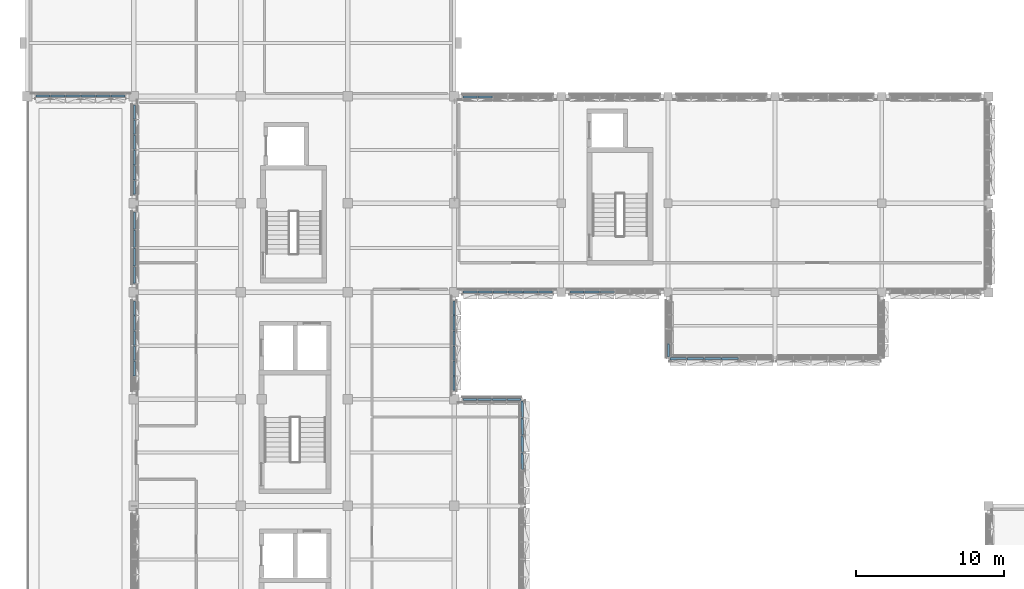
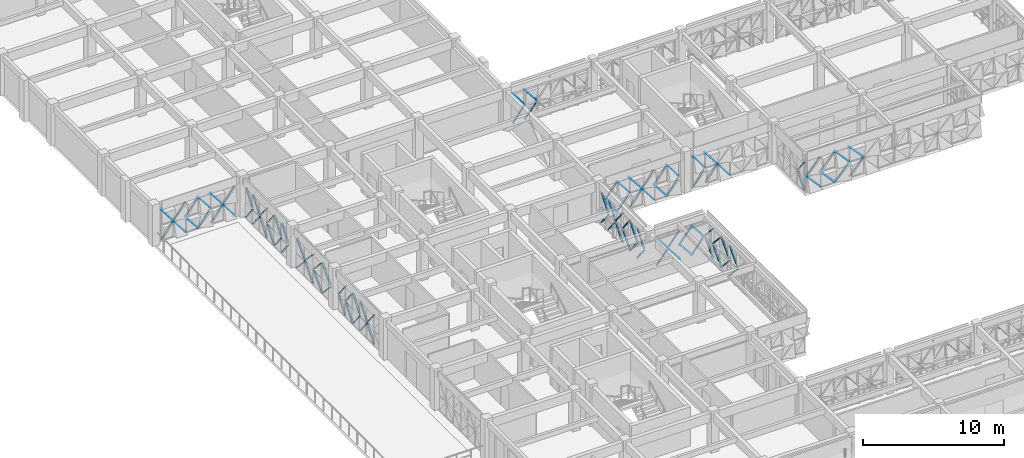
# One storey, part 52 of 85: 101 discrete accessories.
"""IFC4 building model written with IfcOpenShell, lengths in metres."""

from ifc_helpers import new_model, si_unit, direction, frame, origin, origin_2d, place, context, subcontext, project, spatial, rectangle, extrude, material, type_object, element, save


model = new_model("IFC4")

# Units and contexts
model_context = context("Model", 3, precision=1e-05, world=origin(), true_north=direction((0.0, 1.0)))
body_context = subcontext(model_context, "Body", "Model", "MODEL_VIEW")
ifc_project = project(units=[si_unit("LENGTHUNIT", "METRE"), si_unit("AREAUNIT", "SQUARE_METRE"), si_unit("VOLUMEUNIT", "CUBIC_METRE"), si_unit("PLANEANGLEUNIT", "RADIAN"), si_unit("MASSUNIT", "GRAM", prefix="KILO")], contexts=[model_context])

# Site, building, storey
site_placement = place(None, origin())
site = spatial("IfcSite", under=ifc_project, at=site_placement, CompositionType="ELEMENT")
building_placement = place(site_placement, origin())
building = spatial("IfcBuilding", under=site, at=building_placement, Name="Alvorim Cloister Faculty of Sciences", CompositionType="ELEMENT")
storey_placement = place(building_placement, frame((0.0, 0.0, 8.550048828125)))
storey = spatial("IfcBuildingStorey", under=building, at=storey_placement, Name="L02", CompositionType="ELEMENT", Elevation=8.550048828125)

# Discrete accessories
ifc_material = material(Name="Aluminium Alloy 6063-T6", Category="aluminium")
discrete_accessory_type = type_object("IfcDiscreteAccessoryType", Name="ACC-DIAG-BAR", PredefinedType="BRACKET", material=ifc_material)
for number, where, z_axis, x_axis, name in (
    (1, (7.222412109375, 37.592529296875, 0.139892578125), (0.006476523147, 0.617955086572, 0.786186724404), (-0.999945083323, 0.010479997039, 0.0), "Diagonal Cassette Glazing Bracket ACC-00502"),
    (2, (7.222412109375, 37.592529296875, 2.7099609375), (0.006476523147, 0.617955086572, -0.786186724404), (-0.999945083323, 0.010479997039, 0.0), "Diagonal Cassette Glazing Bracket ACC-00503"),
):
    element("IfcDiscreteAccessory", number, at=place(storey_placement, frame(where, z_axis=z_axis, x_axis=x_axis)), inside=storey, type_object=discrete_accessory_type, Name=name, PredefinedType="BRACKET", context=body_context, shape_type="SweptSolid", body=[
        extrude(rectangle(XDim=0.139892578125, YDim=0.044921875, at=origin_2d()), origin(), (0.0, 0.0, 1.0), 1.545654296875),
    ])
for number, where, z_axis, x_axis, name in (
    (3, (7.222412109375, 38.612548828125, 1.35498046875), (0.006477155362, 0.61785742976, -0.786263469168), (-0.999945055239, 0.010482676365, 0.0), "Diagonal Cassette Glazing Bracket ACC-00504"),
    (4, (7.222412109375, 38.612548828125, 1.494873046875), (0.006477155362, 0.61785742976, 0.786263469168), (-0.999945055239, 0.010482676365, 0.0), "Diagonal Cassette Glazing Bracket ACC-00505"),
    (5, (7.222412109375, 39.632568359375, 1.35498046875), (0.006477155362, 0.61785742976, -0.786263469168), (-0.999945055239, 0.010482676365, 0.0), "Diagonal Cassette Glazing Bracket ACC-00506"),
    (6, (7.222412109375, 39.632568359375, 1.494873046875), (0.006477155362, 0.61785742976, 0.786263469168), (-0.999945055239, 0.010482676365, 0.0), "Diagonal Cassette Glazing Bracket ACC-00507"),
    (7, (7.222412109375, 40.652587890625, 0.139892578125), (0.006477155362, 0.61785742976, 0.786263469168), (-0.999945055239, 0.010482676365, 0.0), "Diagonal Cassette Glazing Bracket ACC-00508"),
    (8, (7.222412109375, 40.652587890625, 2.7099609375), (0.006477155362, 0.61785742976, -0.786263469168), (-0.999945055239, 0.010482676365, 0.0), "Diagonal Cassette Glazing Bracket ACC-00509"),
):
    element("IfcDiscreteAccessory", number, at=place(storey_placement, frame(where, z_axis=z_axis, x_axis=x_axis)), inside=storey, type_object=discrete_accessory_type, Name=name, PredefinedType="BRACKET", context=body_context, shape_type="SweptSolid", body=[
        extrude(rectangle(XDim=0.139892578125, YDim=0.044921875, at=origin_2d()), origin(), (0.0, 0.0, 1.0), 1.54541015625),
    ])
for number, where, z_axis, x_axis, name in (
    (9, (7.222412109375, 41.672607421875, 0.139892578125), (0.006561428426, 0.604611624251, 0.796493397008), (-0.999941118963, 0.010851663811, 0.0), "Diagonal Cassette Glazing Bracket ACC-00510"),
    (10, (7.222412109375, 41.672607421875, 2.7099609375), (0.006561428426, 0.604611624251, -0.796493397008), (-0.999941118963, 0.010851663811, 0.0), "Diagonal Cassette Glazing Bracket ACC-00511"),
):
    element("IfcDiscreteAccessory", number, at=place(storey_placement, frame(where, z_axis=z_axis, x_axis=x_axis)), inside=storey, type_object=discrete_accessory_type, Name=name, PredefinedType="BRACKET", context=body_context, shape_type="SweptSolid", body=[
        extrude(rectangle(XDim=0.139892578125, YDim=0.044921875, at=origin_2d()), origin(), (0.0, 0.0, 1.0), 1.525634765625),
    ])
for number, where, z_axis, x_axis, name in (
    (11, (7.222412109375, 43.804931640625, 1.35498046875), (0.00602598982, 0.681818701864, -0.731496374041), (-0.999960946179, 0.0088377665, 0.0), "Diagonal Cassette Glazing Bracket ACC-00513"),
    (12, (7.222412109375, 43.804931640625, 1.494873046875), (0.00602598982, 0.681818701864, 0.731496374041), (-0.999960946179, 0.0088377665, 0.0), "Diagonal Cassette Glazing Bracket ACC-00514"),
):
    element("IfcDiscreteAccessory", number, at=place(storey_placement, frame(where, z_axis=z_axis, x_axis=x_axis)), inside=storey, type_object=discrete_accessory_type, Name=name, PredefinedType="BRACKET", context=body_context, shape_type="SweptSolid", body=[
        extrude(rectangle(XDim=0.139892578125, YDim=0.044921875, at=origin_2d()), origin(), (0.0, 0.0, 1.0), 1.6611328125),
    ])
for number, where, z_axis, x_axis, name in (
    (13, (7.222412109375, 45.00244140625, 0.139892578125), (0.00594613975, 0.692072655757, 0.721803354506), (-0.999963092655, 0.008591468315, 0.0), "Diagonal Cassette Glazing Bracket ACC-00515"),
    (14, (7.222412109375, 45.00244140625, 2.7099609375), (0.00594613975, 0.692072655757, -0.721803354506), (-0.999963092655, 0.008591468315, 0.0), "Diagonal Cassette Glazing Bracket ACC-00516"),
    (15, (7.222412109375, 46.232421875, 0.139892578125), (0.00594613975, 0.692072655757, 0.721803354506), (-0.999963092655, 0.008591468315, 0.0), "Diagonal Cassette Glazing Bracket ACC-00517"),
    (16, (7.222412109375, 46.232421875, 2.7099609375), (0.00594613975, 0.692072655757, -0.721803354506), (-0.999963092655, 0.008591468315, 0.0), "Diagonal Cassette Glazing Bracket ACC-00518"),
):
    element("IfcDiscreteAccessory", number, at=place(storey_placement, frame(where, z_axis=z_axis, x_axis=x_axis)), inside=storey, type_object=discrete_accessory_type, Name=name, PredefinedType="BRACKET", context=body_context, shape_type="SweptSolid", body=[
        extrude(rectangle(XDim=0.139892578125, YDim=0.044921875, at=origin_2d()), origin(), (0.0, 0.0, 1.0), 1.683349609375),
    ])
for number, where, z_axis, x_axis, name in (
    (17, (7.222412109375, 47.46240234375, 1.35498046875), (0.00602598982, 0.681818701864, -0.731496374041), (-0.999960946179, 0.0088377665, 0.0), "Diagonal Cassette Glazing Bracket ACC-00519"),
    (18, (7.222412109375, 47.46240234375, 1.494873046875), (0.00602598982, 0.681818701864, 0.731496374041), (-0.999960946179, 0.0088377665, 0.0), "Diagonal Cassette Glazing Bracket ACC-00520"),
):
    element("IfcDiscreteAccessory", number, at=place(storey_placement, frame(where, z_axis=z_axis, x_axis=x_axis)), inside=storey, type_object=discrete_accessory_type, Name=name, PredefinedType="BRACKET", context=body_context, shape_type="SweptSolid", body=[
        extrude(rectangle(XDim=0.139892578125, YDim=0.044921875, at=origin_2d()), origin(), (0.0, 0.0, 1.0), 1.6611328125),
    ])
for number, where, z_axis, x_axis, name in (
    (19, (7.222412109375, 49.804931640625, 1.35498046875), (0.006560793558, 0.604713142785, -0.796416330151), (-0.999941150118, 0.010848792579, 0.0), "Diagonal Cassette Glazing Bracket ACC-00522"),
    (20, (7.222412109375, 49.804931640625, 1.494873046875), (0.006560793558, 0.604713142785, 0.796416330151), (-0.999941150118, 0.010848792579, 0.0), "Diagonal Cassette Glazing Bracket ACC-00523"),
):
    element("IfcDiscreteAccessory", number, at=place(storey_placement, frame(where, z_axis=z_axis, x_axis=x_axis)), inside=storey, type_object=discrete_accessory_type, Name=name, PredefinedType="BRACKET", context=body_context, shape_type="SweptSolid", body=[
        extrude(rectangle(XDim=0.139892578125, YDim=0.044921875, at=origin_2d()), origin(), (0.0, 0.0, 1.0), 1.525634765625),
    ])
for number, where, z_axis, x_axis, name in (
    (21, (7.222412109375, 50.79248046875, 1.35498046875), (0.006476523147, 0.617955086572, -0.786186724404), (-0.999945083323, 0.010479997039, 0.0), "Diagonal Cassette Glazing Bracket ACC-00524"),
    (22, (7.222412109375, 50.79248046875, 1.494873046875), (0.006476523147, 0.617955086572, 0.786186724404), (-0.999945083323, 0.010479997039, 0.0), "Diagonal Cassette Glazing Bracket ACC-00525"),
    (23, (7.222412109375, 51.8125, 0.139892578125), (0.006476523147, 0.617955086572, 0.786186724404), (-0.999945083323, 0.010479997039, 0.0), "Diagonal Cassette Glazing Bracket ACC-00526"),
    (24, (7.222412109375, 51.8125, 2.7099609375), (0.006476523147, 0.617955086572, -0.786186724404), (-0.999945083323, 0.010479997039, 0.0), "Diagonal Cassette Glazing Bracket ACC-00527"),
    (25, (7.222412109375, 52.83251953125, 0.139892578125), (0.006476523147, 0.617955086572, 0.786186724404), (-0.999945083323, 0.010479997039, 0.0), "Diagonal Cassette Glazing Bracket ACC-00528"),
    (26, (7.222412109375, 52.83251953125, 2.7099609375), (0.006476523147, 0.617955086572, -0.786186724404), (-0.999945083323, 0.010479997039, 0.0), "Diagonal Cassette Glazing Bracket ACC-00529"),
    (27, (7.222412109375, 53.8525390625, 1.35498046875), (0.006476523147, 0.617955086572, -0.786186724404), (-0.999945083323, 0.010479997039, 0.0), "Diagonal Cassette Glazing Bracket ACC-00530"),
    (28, (7.222412109375, 53.8525390625, 1.494873046875), (0.006476523147, 0.617955086572, 0.786186724404), (-0.999945083323, 0.010479997039, 0.0), "Diagonal Cassette Glazing Bracket ACC-00531"),
):
    element("IfcDiscreteAccessory", number, at=place(storey_placement, frame(where, z_axis=z_axis, x_axis=x_axis)), inside=storey, type_object=discrete_accessory_type, Name=name, PredefinedType="BRACKET", context=body_context, shape_type="SweptSolid", body=[
        extrude(rectangle(XDim=0.139892578125, YDim=0.044921875, at=origin_2d()), origin(), (0.0, 0.0, 1.0), 1.545654296875),
    ])
for number, where, z_axis, x_axis, name in (
    (29, (7.222412109375, 54.87255859375, 1.35498046875), (0.006561428426, 0.604611624251, -0.796493397008), (-0.999941118963, 0.010851663811, 0.0), "Diagonal Cassette Glazing Bracket ACC-00532"),
    (30, (7.222412109375, 54.87255859375, 1.494873046875), (0.006561428426, 0.604611624251, 0.796493397008), (-0.999941118963, 0.010851663811, 0.0), "Diagonal Cassette Glazing Bracket ACC-00533"),
    (31, (0.60498046875, 56.422607421875, 0.139892578125), (0.604713142785, 0.006560793558, 0.796416330151), (-0.010848792579, 0.999941150118, 0.0), "Diagonal Cassette Glazing Bracket ACC-00535"),
    (32, (0.60498046875, 56.422607421875, 2.7099609375), (0.604713142785, 0.006560793558, -0.796416330151), (-0.010848792579, 0.999941150118, 0.0), "Diagonal Cassette Glazing Bracket ACC-00536"),
):
    element("IfcDiscreteAccessory", number, at=place(storey_placement, frame(where, z_axis=z_axis, x_axis=x_axis)), inside=storey, type_object=discrete_accessory_type, Name=name, PredefinedType="BRACKET", context=body_context, shape_type="SweptSolid", body=[
        extrude(rectangle(XDim=0.139892578125, YDim=0.044921875, at=origin_2d()), origin(), (0.0, 0.0, 1.0), 1.525634765625),
    ])
for number, where, z_axis, x_axis, name in (
    (33, (1.592529296875, 56.422607421875, 1.35498046875), (0.617955086572, 0.006476523147, -0.786186724404), (-0.010479997039, 0.999945083323, 0.0), "Diagonal Cassette Glazing Bracket ACC-00537"),
    (34, (1.592529296875, 56.422607421875, 1.494873046875), (0.617955086572, 0.006476523147, 0.786186724404), (-0.010479997039, 0.999945083323, 0.0), "Diagonal Cassette Glazing Bracket ACC-00538"),
):
    element("IfcDiscreteAccessory", number, at=place(storey_placement, frame(where, z_axis=z_axis, x_axis=x_axis)), inside=storey, type_object=discrete_accessory_type, Name=name, PredefinedType="BRACKET", context=body_context, shape_type="SweptSolid", body=[
        extrude(rectangle(XDim=0.139892578125, YDim=0.044921875, at=origin_2d()), origin(), (0.0, 0.0, 1.0), 1.545654296875),
    ])
for number, where, z_axis, x_axis, name in (
    (35, (2.612548828125, 56.422607421875, 1.35498046875), (0.61785742976, 0.006477155362, -0.786263469168), (-0.010482676365, 0.999945055239, 0.0), "Diagonal Cassette Glazing Bracket ACC-00539"),
    (36, (2.612548828125, 56.422607421875, 1.494873046875), (0.61785742976, 0.006477155362, 0.786263469168), (-0.010482676365, 0.999945055239, 0.0), "Diagonal Cassette Glazing Bracket ACC-00540"),
    (37, (3.632568359375, 56.422607421875, 0.139892578125), (0.61785742976, 0.006477155362, 0.786263469168), (-0.010482676365, 0.999945055239, 0.0), "Diagonal Cassette Glazing Bracket ACC-00541"),
    (38, (3.632568359375, 56.422607421875, 2.7099609375), (0.61785742976, 0.006477155362, -0.786263469168), (-0.010482676365, 0.999945055239, 0.0), "Diagonal Cassette Glazing Bracket ACC-00542"),
    (39, (4.652587890625, 56.422607421875, 0.139892578125), (0.61785742976, 0.006477155362, 0.786263469168), (-0.010482676365, 0.999945055239, 0.0), "Diagonal Cassette Glazing Bracket ACC-00543"),
    (40, (4.652587890625, 56.422607421875, 2.7099609375), (0.61785742976, 0.006477155362, -0.786263469168), (-0.010482676365, 0.999945055239, 0.0), "Diagonal Cassette Glazing Bracket ACC-00544"),
):
    element("IfcDiscreteAccessory", number, at=place(storey_placement, frame(where, z_axis=z_axis, x_axis=x_axis)), inside=storey, type_object=discrete_accessory_type, Name=name, PredefinedType="BRACKET", context=body_context, shape_type="SweptSolid", body=[
        extrude(rectangle(XDim=0.139892578125, YDim=0.044921875, at=origin_2d()), origin(), (0.0, 0.0, 1.0), 1.54541015625),
    ])
for number, where, z_axis, x_axis, name in (
    (41, (5.672607421875, 56.422607421875, 1.35498046875), (0.604611624251, 0.006561428426, -0.796493397008), (-0.010851663811, 0.999941118963, 0.0), "Diagonal Cassette Glazing Bracket ACC-00545"),
    (42, (5.672607421875, 56.422607421875, 1.494873046875), (0.604611624251, 0.006561428426, 0.796493397008), (-0.010851663811, 0.999941118963, 0.0), "Diagonal Cassette Glazing Bracket ACC-00546"),
    (43, (29.405029296875, 56.37744140625, 0.139892578125), (0.604611624251, -0.006561428426, 0.796493397008), (0.010851663811, 0.999941118963, 0.0), "Diagonal Cassette Glazing Bracket ACC-00548"),
    (44, (29.405029296875, 56.37744140625, 2.7099609375), (0.604611624251, -0.006561428426, -0.796493397008), (0.010851663811, 0.999941118963, 0.0), "Diagonal Cassette Glazing Bracket ACC-00549"),
):
    element("IfcDiscreteAccessory", number, at=place(storey_placement, frame(where, z_axis=z_axis, x_axis=x_axis)), inside=storey, type_object=discrete_accessory_type, Name=name, PredefinedType="BRACKET", context=body_context, shape_type="SweptSolid", body=[
        extrude(rectangle(XDim=0.139892578125, YDim=0.044921875, at=origin_2d()), origin(), (0.0, 0.0, 1.0), 1.525634765625),
    ])
for number, where, z_axis, x_axis, name in (
    (45, (30.392578125, 56.37744140625, 0.139892578125), (0.61785742976, -0.006477155362, 0.786263469168), (0.010482676365, 0.999945055239, 0.0), "Diagonal Cassette Glazing Bracket ACC-00550"),
    (46, (30.392578125, 56.37744140625, 2.7099609375), (0.61785742976, -0.006477155362, -0.786263469168), (0.010482676365, 0.999945055239, 0.0), "Diagonal Cassette Glazing Bracket ACC-00551"),
):
    element("IfcDiscreteAccessory", number, at=place(storey_placement, frame(where, z_axis=z_axis, x_axis=x_axis)), inside=storey, type_object=discrete_accessory_type, Name=name, PredefinedType="BRACKET", context=body_context, shape_type="SweptSolid", body=[
        extrude(rectangle(XDim=0.139892578125, YDim=0.044921875, at=origin_2d()), origin(), (0.0, 0.0, 1.0), 1.54541015625),
    ])
for number, where, z_axis, x_axis, name in (
    (47, (43.344970703125, 38.722412109375, 1.3583984375), (0.661877285306, 0.00615769655, -0.749586914219), (-0.009302978394, 0.99995672636, 0.0), "Diagonal Cassette Glazing Bracket ACC-00670"),
    (48, (43.344970703125, 38.722412109375, 1.49853515625), (0.661877285306, 0.00615769655, 0.749586914219), (-0.009302978394, 0.99995672636, 0.0), "Diagonal Cassette Glazing Bracket ACC-00671"),
):
    element("IfcDiscreteAccessory", number, at=place(storey_placement, frame(where, z_axis=z_axis, x_axis=x_axis)), inside=storey, type_object=discrete_accessory_type, Name=name, PredefinedType="BRACKET", context=body_context, shape_type="SweptSolid", body=[
        extrude(rectangle(XDim=0.139892578125, YDim=0.044921875, at=origin_2d()), origin(), (0.0, 0.0, 1.0), 1.62548828125),
    ])
for number, where, z_axis, x_axis, name in (
    (49, (44.48583984375, 38.722412109375, 1.3583984375), (0.672881655969, 0.006076684558, -0.73972518611), (-0.009030468767, 0.999959224486, 0.0), "Diagonal Cassette Glazing Bracket ACC-00672"),
    (50, (44.48583984375, 38.722412109375, 1.49853515625), (0.672881655969, 0.006076684558, 0.73972518611), (-0.009030468767, 0.999959224486, 0.0), "Diagonal Cassette Glazing Bracket ACC-00673"),
    (51, (45.6591796875, 38.722412109375, 0.139892578125), (0.672881655969, 0.006076684558, 0.73972518611), (-0.009030468767, 0.999959224486, 0.0), "Diagonal Cassette Glazing Bracket ACC-00674"),
    (52, (45.6591796875, 38.722412109375, 2.717041015625), (0.672881655969, 0.006076684558, -0.73972518611), (-0.009030468767, 0.999959224486, 0.0), "Diagonal Cassette Glazing Bracket ACC-00675"),
    (53, (46.83251953125, 38.722412109375, 0.139892578125), (0.672881655969, 0.006076684558, 0.73972518611), (-0.009030468767, 0.999959224486, 0.0), "Diagonal Cassette Glazing Bracket ACC-00676"),
    (54, (46.83251953125, 38.722412109375, 2.717041015625), (0.672881655969, 0.006076684558, -0.73972518611), (-0.009030468767, 0.999959224486, 0.0), "Diagonal Cassette Glazing Bracket ACC-00677"),
):
    element("IfcDiscreteAccessory", number, at=place(storey_placement, frame(where, z_axis=z_axis, x_axis=x_axis)), inside=storey, type_object=discrete_accessory_type, Name=name, PredefinedType="BRACKET", context=body_context, shape_type="SweptSolid", body=[
        extrude(rectangle(XDim=0.139892578125, YDim=0.044921875, at=origin_2d()), origin(), (0.0, 0.0, 1.0), 1.647216796875),
    ])
for number, where, z_axis, x_axis, name in (
    (55, (43.222412109375, 38.844970703125, 0.139892578125), (0.006960531344, 0.606754610349, 0.794858725701), (-0.999934206081, 0.011470985576, 0.0), "Diagonal Cassette Glazing Bracket ACC-00683"),
    (56, (43.222412109375, 38.844970703125, 2.56591796875), (0.006960531344, 0.606754610349, -0.794858725701), (-0.999934206081, 0.011470985576, 0.0), "Diagonal Cassette Glazing Bracket ACC-00684"),
):
    element("IfcDiscreteAccessory", number, at=place(storey_placement, frame(where, z_axis=z_axis, x_axis=x_axis)), inside=storey, type_object=discrete_accessory_type, Name=name, PredefinedType="BRACKET", context=body_context, shape_type="SweptSolid", body=[
        extrude(rectangle(XDim=0.139892578125, YDim=0.044921875, at=origin_2d()), origin(), (0.0, 0.0, 1.0), 1.43798828125),
    ])
for number, where, z_axis, x_axis, name in (
    (57, (36.60498046875, 43.222412109375, 0.139892578125), (0.604713142785, 0.006560793558, 0.796416330151), (-0.010848792579, 0.999941150118, 0.0), "Diagonal Cassette Glazing Bracket ACC-00692"),
    (58, (36.60498046875, 43.222412109375, 2.7099609375), (0.604713142785, 0.006560793558, -0.796416330151), (-0.010848792579, 0.999941150118, 0.0), "Diagonal Cassette Glazing Bracket ACC-00693"),
):
    element("IfcDiscreteAccessory", number, at=place(storey_placement, frame(where, z_axis=z_axis, x_axis=x_axis)), inside=storey, type_object=discrete_accessory_type, Name=name, PredefinedType="BRACKET", context=body_context, shape_type="SweptSolid", body=[
        extrude(rectangle(XDim=0.139892578125, YDim=0.044921875, at=origin_2d()), origin(), (0.0, 0.0, 1.0), 1.525634765625),
    ])
for number, where, z_axis, x_axis, name in (
    (59, (37.592529296875, 43.222412109375, 0.139892578125), (0.617955086572, 0.006476523147, 0.786186724404), (-0.010479997039, 0.999945083323, 0.0), "Diagonal Cassette Glazing Bracket ACC-00694"),
    (60, (37.592529296875, 43.222412109375, 2.7099609375), (0.617955086572, 0.006476523147, -0.786186724404), (-0.010479997039, 0.999945083323, 0.0), "Diagonal Cassette Glazing Bracket ACC-00695"),
):
    element("IfcDiscreteAccessory", number, at=place(storey_placement, frame(where, z_axis=z_axis, x_axis=x_axis)), inside=storey, type_object=discrete_accessory_type, Name=name, PredefinedType="BRACKET", context=body_context, shape_type="SweptSolid", body=[
        extrude(rectangle(XDim=0.139892578125, YDim=0.044921875, at=origin_2d()), origin(), (0.0, 0.0, 1.0), 1.545654296875),
    ])
discrete_accessory_placement = place(storey_placement, frame((38.612548828125, 43.222412109375, 1.35498046875), z_axis=(0.61785742976, 0.006477155362, -0.786263469168), x_axis=(-0.010482676365, 0.999945055239, 0.0)))
element("IfcDiscreteAccessory", 61, at=discrete_accessory_placement, inside=storey, type_object=discrete_accessory_type, Name="Diagonal Cassette Glazing Bracket ACC-00696", PredefinedType="BRACKET", context=body_context, shape_type="SweptSolid", body=[
    extrude(rectangle(XDim=0.139892578125, YDim=0.044921875, at=origin_2d()), origin(), (0.0, 0.0, 1.0), 1.54541015625),
])
for number, where, z_axis, x_axis, name in (
    (62, (29.405029296875, 43.222412109375, 1.35498046875), (0.604611624251, 0.006561428426, -0.796493397008), (-0.010851663811, 0.999941118963, 0.0), "Diagonal Cassette Glazing Bracket ACC-00705"),
    (63, (29.405029296875, 43.222412109375, 1.494873046875), (0.604611624251, 0.006561428426, 0.796493397008), (-0.010851663811, 0.999941118963, 0.0), "Diagonal Cassette Glazing Bracket ACC-00706"),
):
    element("IfcDiscreteAccessory", number, at=place(storey_placement, frame(where, z_axis=z_axis, x_axis=x_axis)), inside=storey, type_object=discrete_accessory_type, Name=name, PredefinedType="BRACKET", context=body_context, shape_type="SweptSolid", body=[
        extrude(rectangle(XDim=0.139892578125, YDim=0.044921875, at=origin_2d()), origin(), (0.0, 0.0, 1.0), 1.525634765625),
    ])
for number, where, z_axis, x_axis, name in (
    (64, (30.392578125, 43.222412109375, 0.139892578125), (0.61785742976, 0.006477155362, 0.786263469168), (-0.010482676365, 0.999945055239, 0.0), "Diagonal Cassette Glazing Bracket ACC-00707"),
    (65, (30.392578125, 43.222412109375, 2.7099609375), (0.61785742976, 0.006477155362, -0.786263469168), (-0.010482676365, 0.999945055239, 0.0), "Diagonal Cassette Glazing Bracket ACC-00708"),
    (66, (31.41259765625, 43.222412109375, 0.139892578125), (0.61785742976, 0.006477155362, 0.786263469168), (-0.010482676365, 0.999945055239, 0.0), "Diagonal Cassette Glazing Bracket ACC-00709"),
    (67, (31.41259765625, 43.222412109375, 2.7099609375), (0.61785742976, 0.006477155362, -0.786263469168), (-0.010482676365, 0.999945055239, 0.0), "Diagonal Cassette Glazing Bracket ACC-00710"),
    (68, (32.4326171875, 43.222412109375, 1.35498046875), (0.61785742976, 0.006477155362, -0.786263469168), (-0.010482676365, 0.999945055239, 0.0), "Diagonal Cassette Glazing Bracket ACC-00711"),
    (69, (32.4326171875, 43.222412109375, 1.494873046875), (0.61785742976, 0.006477155362, 0.786263469168), (-0.010482676365, 0.999945055239, 0.0), "Diagonal Cassette Glazing Bracket ACC-00712"),
):
    element("IfcDiscreteAccessory", number, at=place(storey_placement, frame(where, z_axis=z_axis, x_axis=x_axis)), inside=storey, type_object=discrete_accessory_type, Name=name, PredefinedType="BRACKET", context=body_context, shape_type="SweptSolid", body=[
        extrude(rectangle(XDim=0.139892578125, YDim=0.044921875, at=origin_2d()), origin(), (0.0, 0.0, 1.0), 1.54541015625),
    ])
for number, where, z_axis, x_axis, name in (
    (70, (33.452392578125, 43.222412109375, 1.35498046875), (0.617955086572, 0.006476523147, -0.786186724404), (-0.010479997039, 0.999945083323, 0.0), "Diagonal Cassette Glazing Bracket ACC-00713"),
    (71, (33.452392578125, 43.222412109375, 1.494873046875), (0.617955086572, 0.006476523147, 0.786186724404), (-0.010479997039, 0.999945083323, 0.0), "Diagonal Cassette Glazing Bracket ACC-00714"),
):
    element("IfcDiscreteAccessory", number, at=place(storey_placement, frame(where, z_axis=z_axis, x_axis=x_axis)), inside=storey, type_object=discrete_accessory_type, Name=name, PredefinedType="BRACKET", context=body_context, shape_type="SweptSolid", body=[
        extrude(rectangle(XDim=0.139892578125, YDim=0.044921875, at=origin_2d()), origin(), (0.0, 0.0, 1.0), 1.545654296875),
    ])
for number, where, z_axis, x_axis, name in (
    (72, (34.472412109375, 43.222412109375, 0.139892578125), (0.604713142785, 0.006560793558, 0.796416330151), (-0.010848792579, 0.999941150118, 0.0), "Diagonal Cassette Glazing Bracket ACC-00715"),
    (73, (34.472412109375, 43.222412109375, 2.7099609375), (0.604713142785, 0.006560793558, -0.796416330151), (-0.010848792579, 0.999941150118, 0.0), "Diagonal Cassette Glazing Bracket ACC-00716"),
    (74, (28.777587890625, 36.60498046875, 1.35498046875), (-0.006560793558, 0.604713142785, -0.796416330151), (-0.999941150118, -0.010848792579, 0.0), "Diagonal Cassette Glazing Bracket ACC-00718"),
    (75, (28.777587890625, 36.60498046875, 1.494873046875), (-0.006560793558, 0.604713142785, 0.796416330151), (-0.999941150118, -0.010848792579, 0.0), "Diagonal Cassette Glazing Bracket ACC-00719"),
):
    element("IfcDiscreteAccessory", number, at=place(storey_placement, frame(where, z_axis=z_axis, x_axis=x_axis)), inside=storey, type_object=discrete_accessory_type, Name=name, PredefinedType="BRACKET", context=body_context, shape_type="SweptSolid", body=[
        extrude(rectangle(XDim=0.139892578125, YDim=0.044921875, at=origin_2d()), origin(), (0.0, 0.0, 1.0), 1.525634765625),
    ])
for number, where, z_axis, x_axis, name in (
    (76, (28.777587890625, 37.592529296875, 1.35498046875), (-0.006476523147, 0.617955086572, -0.786186724404), (-0.999945083323, -0.010479997039, 0.0), "Diagonal Cassette Glazing Bracket ACC-00720"),
    (77, (28.777587890625, 37.592529296875, 1.494873046875), (-0.006476523147, 0.617955086572, 0.786186724404), (-0.999945083323, -0.010479997039, 0.0), "Diagonal Cassette Glazing Bracket ACC-00721"),
):
    element("IfcDiscreteAccessory", number, at=place(storey_placement, frame(where, z_axis=z_axis, x_axis=x_axis)), inside=storey, type_object=discrete_accessory_type, Name=name, PredefinedType="BRACKET", context=body_context, shape_type="SweptSolid", body=[
        extrude(rectangle(XDim=0.139892578125, YDim=0.044921875, at=origin_2d()), origin(), (0.0, 0.0, 1.0), 1.545654296875),
    ])
for number, where, z_axis, x_axis, name in (
    (78, (28.777587890625, 38.612548828125, 0.139892578125), (-0.006477155362, 0.61785742976, 0.786263469168), (-0.999945055239, -0.010482676365, 0.0), "Diagonal Cassette Glazing Bracket ACC-00722"),
    (79, (28.777587890625, 38.612548828125, 2.7099609375), (-0.006477155362, 0.61785742976, -0.786263469168), (-0.999945055239, -0.010482676365, 0.0), "Diagonal Cassette Glazing Bracket ACC-00723"),
    (80, (28.777587890625, 39.632568359375, 0.139892578125), (-0.006477155362, 0.61785742976, 0.786263469168), (-0.999945055239, -0.010482676365, 0.0), "Diagonal Cassette Glazing Bracket ACC-00724"),
    (81, (28.777587890625, 39.632568359375, 2.7099609375), (-0.006477155362, 0.61785742976, -0.786263469168), (-0.999945055239, -0.010482676365, 0.0), "Diagonal Cassette Glazing Bracket ACC-00725"),
    (82, (28.777587890625, 40.652587890625, 1.35498046875), (-0.006477155362, 0.61785742976, -0.786263469168), (-0.999945055239, -0.010482676365, 0.0), "Diagonal Cassette Glazing Bracket ACC-00726"),
    (83, (28.777587890625, 40.652587890625, 1.494873046875), (-0.006477155362, 0.61785742976, 0.786263469168), (-0.999945055239, -0.010482676365, 0.0), "Diagonal Cassette Glazing Bracket ACC-00727"),
):
    element("IfcDiscreteAccessory", number, at=place(storey_placement, frame(where, z_axis=z_axis, x_axis=x_axis)), inside=storey, type_object=discrete_accessory_type, Name=name, PredefinedType="BRACKET", context=body_context, shape_type="SweptSolid", body=[
        extrude(rectangle(XDim=0.139892578125, YDim=0.044921875, at=origin_2d()), origin(), (0.0, 0.0, 1.0), 1.54541015625),
    ])
for number, where, z_axis, x_axis, name in (
    (84, (28.777587890625, 41.672607421875, 1.35498046875), (-0.006561428426, 0.604611624251, -0.796493397008), (-0.999941118963, -0.010851663811, 0.0), "Diagonal Cassette Glazing Bracket ACC-00728"),
    (85, (28.777587890625, 41.672607421875, 1.494873046875), (-0.006561428426, 0.604611624251, 0.796493397008), (-0.999941118963, -0.010851663811, 0.0), "Diagonal Cassette Glazing Bracket ACC-00729"),
):
    element("IfcDiscreteAccessory", number, at=place(storey_placement, frame(where, z_axis=z_axis, x_axis=x_axis)), inside=storey, type_object=discrete_accessory_type, Name=name, PredefinedType="BRACKET", context=body_context, shape_type="SweptSolid", body=[
        extrude(rectangle(XDim=0.139892578125, YDim=0.044921875, at=origin_2d()), origin(), (0.0, 0.0, 1.0), 1.525634765625),
    ])
for number, where, z_axis, x_axis, name in (
    (86, (29.405029296875, 35.9775390625, 0.139892578125), (0.617524934404, -0.006887519671, 0.78652114877), (0.011152733966, 0.999937806329, 0.0), "Diagonal Cassette Glazing Bracket ACC-00731"),
    (87, (29.405029296875, 35.9775390625, 2.56591796875), (0.617524934404, -0.006887519671, -0.78652114877), (0.011152733966, 0.999937806329, 0.0), "Diagonal Cassette Glazing Bracket ACC-00732"),
):
    element("IfcDiscreteAccessory", number, at=place(storey_placement, frame(where, z_axis=z_axis, x_axis=x_axis)), inside=storey, type_object=discrete_accessory_type, Name=name, PredefinedType="BRACKET", context=body_context, shape_type="SweptSolid", body=[
        extrude(rectangle(XDim=0.139892578125, YDim=0.044921875, at=origin_2d()), origin(), (0.0, 0.0, 1.0), 1.453369140625),
    ])
for number, where, z_axis, x_axis, name in (
    (88, (30.367431640625, 35.9775390625, 1.282958984375), (0.631164140853, -0.006792055059, -0.775619555768), (0.010760531826, 0.999942103801, 0.0), "Diagonal Cassette Glazing Bracket ACC-00733"),
    (89, (30.367431640625, 35.9775390625, 1.4228515625), (0.631164140853, -0.006792055059, 0.775619555768), (0.010760531826, 0.999942103801, 0.0), "Diagonal Cassette Glazing Bracket ACC-00734"),
    (90, (31.362548828125, 35.9775390625, 1.282958984375), (0.631064458964, -0.006792765245, -0.775700655519), (0.010763356526, 0.9999420734, 0.0), "Diagonal Cassette Glazing Bracket ACC-00735"),
    (91, (31.362548828125, 35.9775390625, 1.4228515625), (0.631064458964, -0.006792765245, 0.775700655519), (0.010763356526, 0.9999420734, 0.0), "Diagonal Cassette Glazing Bracket ACC-00736"),
):
    element("IfcDiscreteAccessory", number, at=place(storey_placement, frame(where, z_axis=z_axis, x_axis=x_axis)), inside=storey, type_object=discrete_accessory_type, Name=name, PredefinedType="BRACKET", context=body_context, shape_type="SweptSolid", body=[
        extrude(rectangle(XDim=0.139892578125, YDim=0.044921875, at=origin_2d()), origin(), (0.0, 0.0, 1.0), 1.4736328125),
    ])
for number, where, z_axis, x_axis, name in (
    (92, (32.357421875, 35.9775390625, 0.139892578125), (0.617524934404, -0.006887519671, 0.78652114877), (0.011152733966, 0.999937806329, 0.0), "Diagonal Cassette Glazing Bracket ACC-00737"),
    (93, (32.357421875, 35.9775390625, 2.56591796875), (0.617524934404, -0.006887519671, -0.78652114877), (0.011152733966, 0.999937806329, 0.0), "Diagonal Cassette Glazing Bracket ACC-00738"),
):
    element("IfcDiscreteAccessory", number, at=place(storey_placement, frame(where, z_axis=z_axis, x_axis=x_axis)), inside=storey, type_object=discrete_accessory_type, Name=name, PredefinedType="BRACKET", context=body_context, shape_type="SweptSolid", body=[
        extrude(rectangle(XDim=0.139892578125, YDim=0.044921875, at=origin_2d()), origin(), (0.0, 0.0, 1.0), 1.453369140625),
    ])
for number, where, z_axis, x_axis, name in (
    (94, (33.37744140625, 31.25927734375, 1.3583984375), (-0.006077290604, 0.67280053784, -0.739798961084), (-0.999959206518, -0.009032458133, 0.0), "Diagonal Cassette Glazing Bracket ACC-00744"),
    (95, (33.37744140625, 31.25927734375, 1.49853515625), (-0.006077290604, 0.67280053784, 0.739798961084), (-0.999959206518, -0.009032458133, 0.0), "Diagonal Cassette Glazing Bracket ACC-00745"),
    (96, (33.37744140625, 32.4326171875, 1.3583984375), (-0.006077290604, 0.67280053784, -0.739798961084), (-0.999959206518, -0.009032458133, 0.0), "Diagonal Cassette Glazing Bracket ACC-00746"),
    (97, (33.37744140625, 32.4326171875, 1.49853515625), (-0.006077290604, 0.67280053784, 0.739798961084), (-0.999959206518, -0.009032458133, 0.0), "Diagonal Cassette Glazing Bracket ACC-00747"),
):
    element("IfcDiscreteAccessory", number, at=place(storey_placement, frame(where, z_axis=z_axis, x_axis=x_axis)), inside=storey, type_object=discrete_accessory_type, Name=name, PredefinedType="BRACKET", context=body_context, shape_type="SweptSolid", body=[
        extrude(rectangle(XDim=0.139892578125, YDim=0.044921875, at=origin_2d()), origin(), (0.0, 0.0, 1.0), 1.64697265625),
    ])
for number, where, z_axis, x_axis, name in (
    (98, (33.37744140625, 33.605712890625, 0.139892578125), (-0.006076684558, 0.672881655969, 0.73972518611), (-0.999959224486, -0.009030468767, 0.0), "Diagonal Cassette Glazing Bracket ACC-00748"),
    (99, (33.37744140625, 33.605712890625, 2.717041015625), (-0.006076684558, 0.672881655969, -0.73972518611), (-0.999959224486, -0.009030468767, 0.0), "Diagonal Cassette Glazing Bracket ACC-00749"),
):
    element("IfcDiscreteAccessory", number, at=place(storey_placement, frame(where, z_axis=z_axis, x_axis=x_axis)), inside=storey, type_object=discrete_accessory_type, Name=name, PredefinedType="BRACKET", context=body_context, shape_type="SweptSolid", body=[
        extrude(rectangle(XDim=0.139892578125, YDim=0.044921875, at=origin_2d()), origin(), (0.0, 0.0, 1.0), 1.647216796875),
    ])
for number, where, z_axis, x_axis, name in (
    (100, (33.37744140625, 34.779052734375, 0.139892578125), (-0.00615769655, 0.661877285306, 0.749586914219), (-0.99995672636, -0.009302978394, 0.0), "Diagonal Cassette Glazing Bracket ACC-00750"),
    (101, (33.37744140625, 34.779052734375, 2.717041015625), (-0.00615769655, 0.661877285306, -0.749586914219), (-0.99995672636, -0.009302978394, 0.0), "Diagonal Cassette Glazing Bracket ACC-00751"),
):
    element("IfcDiscreteAccessory", number, at=place(storey_placement, frame(where, z_axis=z_axis, x_axis=x_axis)), inside=storey, type_object=discrete_accessory_type, Name=name, PredefinedType="BRACKET", context=body_context, shape_type="SweptSolid", body=[
        extrude(rectangle(XDim=0.139892578125, YDim=0.044921875, at=origin_2d()), origin(), (0.0, 0.0, 1.0), 1.62548828125),
    ])

save(model, "model.ifc")
